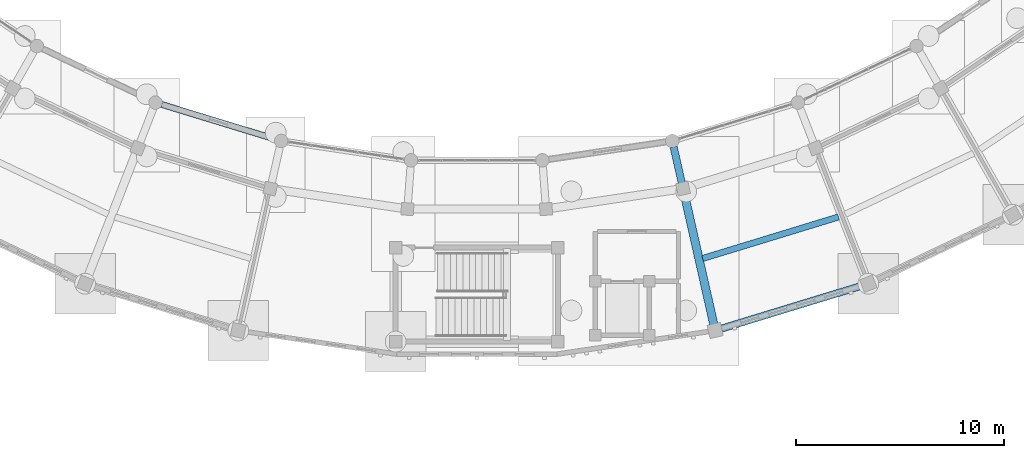
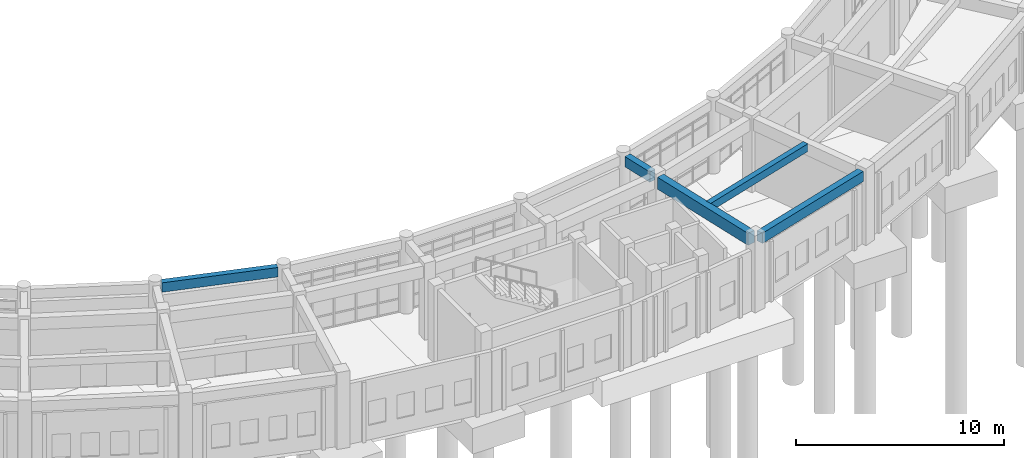
# One storey, part 42 of 153: 5 beams.
"""IFC4 building model written with IfcOpenShell, lengths in metres."""

from ifc_helpers import new_model, si_unit, direction, frame, origin, origin_2d, place, context, subcontext, project, spatial, rectangle, extrude, material, material_profile, profile_set, type_object, element, save


model = new_model("IFC4")

# Units and contexts
model_context = context("Model", 3, precision=1e-05, world=origin(), true_north=direction((0.0, 1.0)))
body_context = subcontext(model_context, "Body", "Model", "MODEL_VIEW")
ifc_project = project(units=[si_unit("LENGTHUNIT", "METRE"), si_unit("AREAUNIT", "SQUARE_METRE"), si_unit("VOLUMEUNIT", "CUBIC_METRE"), si_unit("PLANEANGLEUNIT", "RADIAN"), si_unit("MASSUNIT", "GRAM", prefix="KILO")], contexts=[model_context])

# Site, building, storey
site_placement = place(None, origin())
site = spatial("IfcSite", under=ifc_project, at=site_placement, CompositionType="ELEMENT")
building_placement = place(site_placement, origin())
building = spatial("IfcBuilding", under=site, at=building_placement, Name="Celadon Cloister-Ring School", CompositionType="ELEMENT")
storey_placement = place(building_placement, origin())
storey = spatial("IfcBuildingStorey", under=building, at=storey_placement, Name="L00", CompositionType="ELEMENT", Elevation=0.0)

# Beams
ifc_material_1 = material(Name="Concrete C35/45", Category="concrete")
ifc_material_profile_1 = material_profile(ifc_material_1, rectangle(XDim=0.35009765625, YDim=0.60009765625, at=origin_2d()), Name="RC350X600")
ifc_profile_set_1 = profile_set([ifc_material_profile_1], Name="Concrete C35/45")
beam_type_1 = type_object("IfcBeamType", Name="BT-02", PredefinedType="BEAM", material=ifc_profile_set_1)
beam_1_placement = place(storey_placement, frame((96.865966796875, 15.376953125, 3.97998046875), z_axis=(-0.220788618037, 0.975321683418, 0.0), x_axis=(-0.975321683418, -0.220788618037, 0.0)))
element("IfcBeam", 1, at=beam_1_placement, inside=storey, type_object=beam_type_1, Name="Beam 0037", PredefinedType="BEAM", context=body_context, shape_type="SweptSolid", body=[
    extrude(rectangle(XDim=0.35009765625, YDim=0.60009765625, at=origin_2d()), origin(), (0.0, 0.0, 1.0), 1.774658203125),
])
ifc_material_2 = material(Name="Concrete C35/45", Category="concrete")
ifc_material_profile_2 = material_profile(ifc_material_2, rectangle(XDim=0.39990234375, YDim=0.699951171875, at=origin_2d()), Name="RC400X700")
ifc_profile_set_2 = profile_set([ifc_material_profile_2], Name="Concrete C35/45")
beam_type_2 = type_object("IfcBeamType", Name="GT-03", PredefinedType="USERDEFINED", material=ifc_profile_set_2)
beam_2_placement = place(storey_placement, frame((98.405029296875, 8.573974609375, 3.929931640625), z_axis=(-0.220533763019, 0.975379341266, 0.0), x_axis=(-0.975379341266, -0.220533763019, 0.0)))
element("IfcBeam", 2, at=beam_2_placement, inside=storey, type_object=beam_type_2, Name="Beam 0036", ObjectType="GIRDER", PredefinedType="USERDEFINED", context=body_context, shape_type="SweptSolid", body=[
    extrude(rectangle(XDim=0.39990234375, YDim=0.699951171875, at=origin_2d()), origin(), (0.0, 0.0, 1.0), 6.42529296875),
])
ifc_material_3 = material(Name="Concrete C35/45", Category="concrete")
ifc_material_profile_3 = material_profile(ifc_material_3, rectangle(XDim=0.300048828125, YDim=0.449951171875, at=origin_2d()), Name="RC300X450")
ifc_profile_set_3 = profile_set([ifc_material_profile_3], Name="Concrete C35/45")
beam_type_3 = type_object("IfcBeamType", Name="JT-01", PredefinedType="JOIST", material=ifc_profile_set_3)
beam_3_placement = place(storey_placement, frame((97.865966796875, 11.74609375, 4.054931640625), z_axis=(0.956337152336, 0.292265719957, 0.0), x_axis=(-0.292265719957, 0.956337152336, 0.0)))
element("IfcBeam", 3, at=beam_3_placement, inside=storey, type_object=beam_type_3, Name="Beam 0140", PredefinedType="JOIST", context=body_context, shape_type="SweptSolid", body=[
    extrude(rectangle(XDim=0.300048828125, YDim=0.449951171875, at=origin_2d()), origin(), (0.0, 0.0, 1.0), 6.83544921875),
])
ifc_material_4 = material(Name="Concrete C35/45", Category="concrete")
ifc_material_profile_4 = material_profile(ifc_material_4, rectangle(XDim=0.35009765625, YDim=0.60009765625, at=origin_2d()), Name="RC350X600")
ifc_profile_set_4 = profile_set([ifc_material_profile_4], Name="Concrete C35/45")
beam_type_4 = type_object("IfcBeamType", Name="SP-01", PredefinedType="SPANDREL", material=ifc_profile_set_4)
beam_4_placement = place(storey_placement, frame((98.758056640625, 8.368896484375, 3.97998046875), z_axis=(0.9563686463, 0.292162647123, 0.0), x_axis=(-0.292162647123, 0.9563686463, 0.0)))
element("IfcBeam", 4, at=beam_4_placement, inside=storey, type_object=beam_type_4, Name="Beam 0137", PredefinedType="SPANDREL", context=body_context, shape_type="SweptSolid", body=[
    extrude(rectangle(XDim=0.35009765625, YDim=0.60009765625, at=origin_2d()), origin(), (0.0, 0.0, 1.0), 7.102783203125),
])
ifc_material_5 = material(Name="Concrete C35/45", Category="concrete")
ifc_material_profile_5 = material_profile(ifc_material_5, rectangle(XDim=0.300048828125, YDim=0.550048828125, at=origin_2d()), Name="RC300X550")
ifc_profile_set_5 = profile_set([ifc_material_profile_5], Name="Concrete C35/45")
beam_type_5 = type_object("IfcBeamType", Name="SP-02", PredefinedType="SPANDREL", material=ifc_profile_set_5)
beam_5_placement = place(storey_placement, frame((71.8359375, 19.158935546875, 4.0048828125), z_axis=(0.956408228497, -0.292033046869, 0.0), x_axis=(0.292033046869, 0.956408228497, 0.0)))
element("IfcBeam", 5, at=beam_5_placement, inside=storey, type_object=beam_type_5, Name="Beam 0129", PredefinedType="SPANDREL", context=body_context, shape_type="SweptSolid", body=[
    extrude(rectangle(XDim=0.300048828125, YDim=0.550048828125, at=origin_2d()), origin(), (0.0, 0.0, 1.0), 5.71826171875),
])

save(model, "model.ifc")
